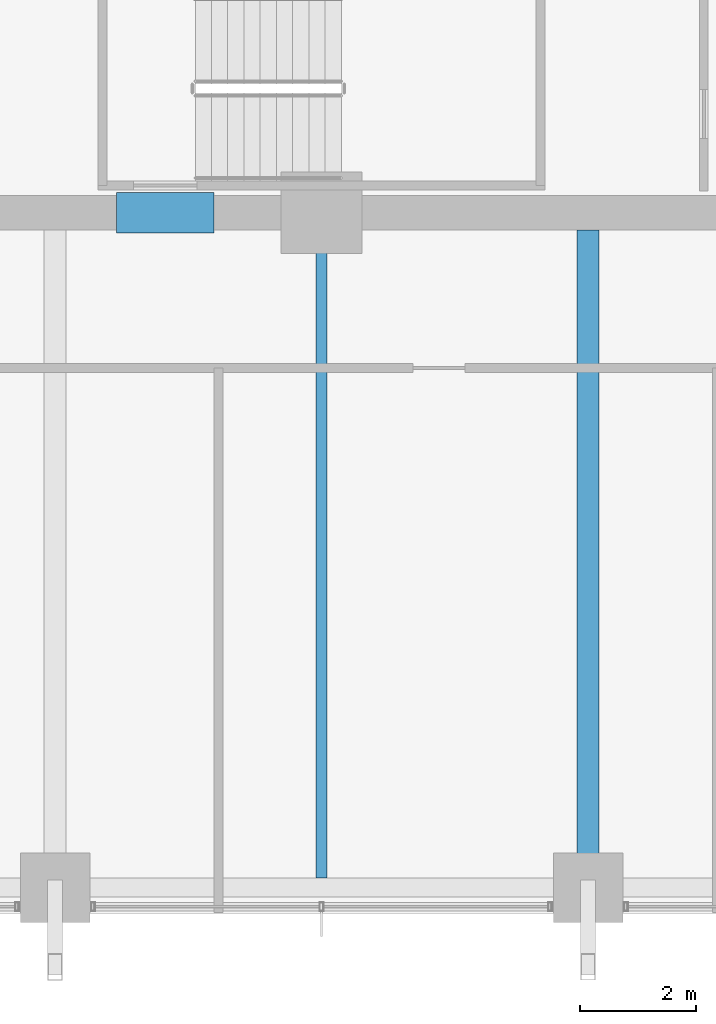
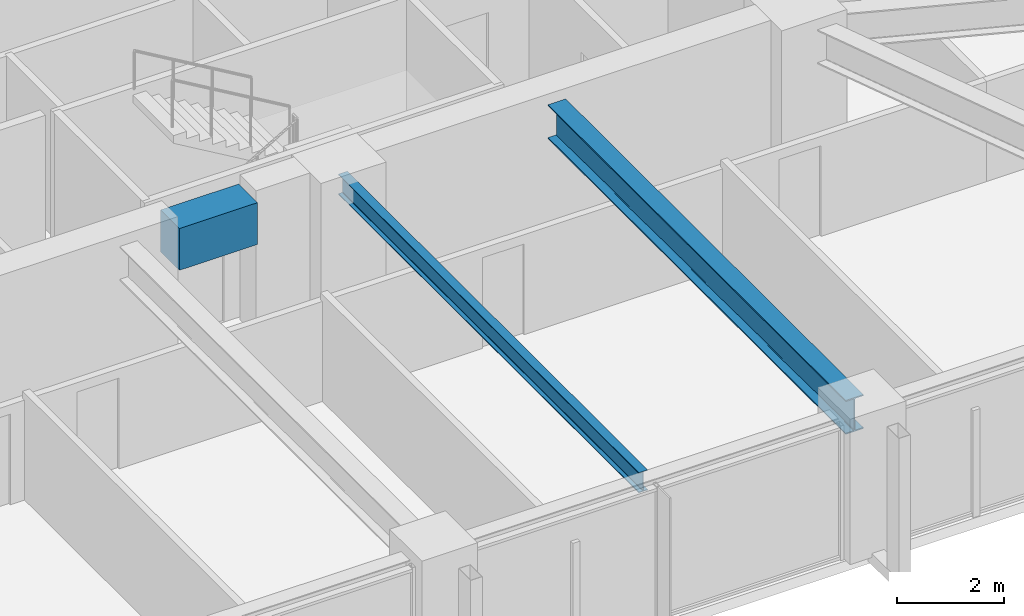
# One storey, part 7 of 36: 3 beams.
"""IFC4 building model written with IfcOpenShell, lengths in metres."""

from ifc_helpers import new_model, si_unit, direction, frame, origin, origin_2d, place, context, subcontext, project, spatial, rectangle, i_section, extrude, material, material_profile, profile_set, type_object, element, save


model = new_model("IFC4")

# Units and contexts
model_context = context("Model", 3, precision=1e-05, world=origin(), true_north=direction((0.0, 1.0)))
body_context = subcontext(model_context, "Body", "Model", "MODEL_VIEW")
ifc_project = project(units=[si_unit("LENGTHUNIT", "METRE"), si_unit("AREAUNIT", "SQUARE_METRE"), si_unit("VOLUMEUNIT", "CUBIC_METRE"), si_unit("PLANEANGLEUNIT", "RADIAN"), si_unit("MASSUNIT", "GRAM", prefix="KILO")], contexts=[model_context])

# Site, building, storey
site_placement = place(None, origin())
site = spatial("IfcSite", under=ifc_project, at=site_placement, CompositionType="ELEMENT")
building_placement = place(site_placement, origin())
building = spatial("IfcBuilding", under=site, at=building_placement, Name="Kolvaren Belvedere", CompositionType="ELEMENT")
storey_placement = place(building_placement, frame((0.0, 0.0, 46.89990234375)))
storey = spatial("IfcBuildingStorey", under=building, at=storey_placement, Name="L13", CompositionType="ELEMENT", Elevation=46.89990234375)

# Beams
ifc_material_1 = material(Name="Structural steel ASTM A992 Grade 50", Category="steel")
ifc_material_profile_1 = material_profile(ifc_material_1, i_section(OverallWidth=0.381103515625, OverallDepth=0.77294921875, WebThickness=0.0166015625, FlangeThickness=0.027099609375, FilletRadius=0.02392578125, at=origin_2d()), Name="W30X173")
ifc_profile_set_1 = profile_set([ifc_material_profile_1], Name="Structural steel ASTM A992 Grade 50")
beam_type_1 = type_object("IfcBeamType", Name="BM-GIRD-W30X173", PredefinedType="BEAM", material=ifc_profile_set_1)
beam_1_placement = place(storey_placement, frame((4.60009765625, -10.199951171875, 2.673583984375), z_axis=(0.0, -1.0, 0.0), x_axis=(1.0, 0.0, 0.0)))
element("IfcBeam", 1, at=beam_1_placement, inside=storey, type_object=beam_type_1, Name="L13 South Radial Girder P", PredefinedType="BEAM", context=body_context, shape_type="SweptSolid", body=[
    extrude(i_section(OverallWidth=0.381103515625, OverallDepth=0.77294921875, WebThickness=0.0166015625, FlangeThickness=0.027099609375, FilletRadius=0.02392578125, at=origin_2d()), origin(), (0.0, 0.0, 1.0), 11.080078125),
])
ifc_material_2 = material(Name="Structural steel ASTM A992 Grade 50", Category="steel")
ifc_material_profile_2 = material_profile(ifc_material_2, i_section(OverallWidth=0.19091796875, OverallDepth=0.4599609375, WebThickness=0.010009765625, FlangeThickness=0.01611328125, FilletRadius=0.014892578125, at=origin_2d()), Name="W18X55")
ifc_profile_set_2 = profile_set([ifc_material_profile_2], Name="Structural steel ASTM A992 Grade 50")
beam_type_2 = type_object("IfcBeamType", Name="BM-JOIST-W18X55", PredefinedType="BEAM", material=ifc_profile_set_2)
beam_2_placement = place(storey_placement, frame((0.0, -10.199951171875, 2.830078125), z_axis=(0.0, -1.0, 0.0), x_axis=(1.0, 0.0, 0.0)))
element("IfcBeam", 2, at=beam_2_placement, inside=storey, type_object=beam_type_2, Name="L13 South Centre Floor Beam", PredefinedType="BEAM", context=body_context, shape_type="SweptSolid", body=[
    extrude(i_section(OverallWidth=0.19091796875, OverallDepth=0.4599609375, WebThickness=0.010009765625, FlangeThickness=0.01611328125, FilletRadius=0.014892578125, at=origin_2d()), origin(), (0.0, 0.0, 1.0), 11.1875),
])
ifc_material_3 = material(Name="Concrete C60/75", Category="concrete")
ifc_material_profile_3 = material_profile(ifc_material_3, rectangle(XDim=0.699951171875, YDim=0.949951171875, at=origin_2d()), Name="RC 700X950")
ifc_profile_set_3 = profile_set([ifc_material_profile_3], Name="Concrete C60/75")
beam_type_3 = type_object("IfcBeamType", Name="BM-LINT-950", PredefinedType="LINTEL", material=ifc_profile_set_3)
beam_3_placement = place(storey_placement, frame((-3.5400390625, -9.89990234375, 2.585205078125), z_axis=(1.0, 0.0, 0.0), x_axis=(0.0, 1.0, 0.0)))
element("IfcBeam", 3, at=beam_3_placement, inside=storey, type_object=beam_type_3, Name="L13 South Core Coupling Lintel", PredefinedType="LINTEL", context=body_context, shape_type="SweptSolid", body=[
    extrude(rectangle(XDim=0.699951171875, YDim=0.949951171875, at=origin_2d()), origin(), (0.0, 0.0, 1.0), 1.679931640625),
])

save(model, "model.ifc")
